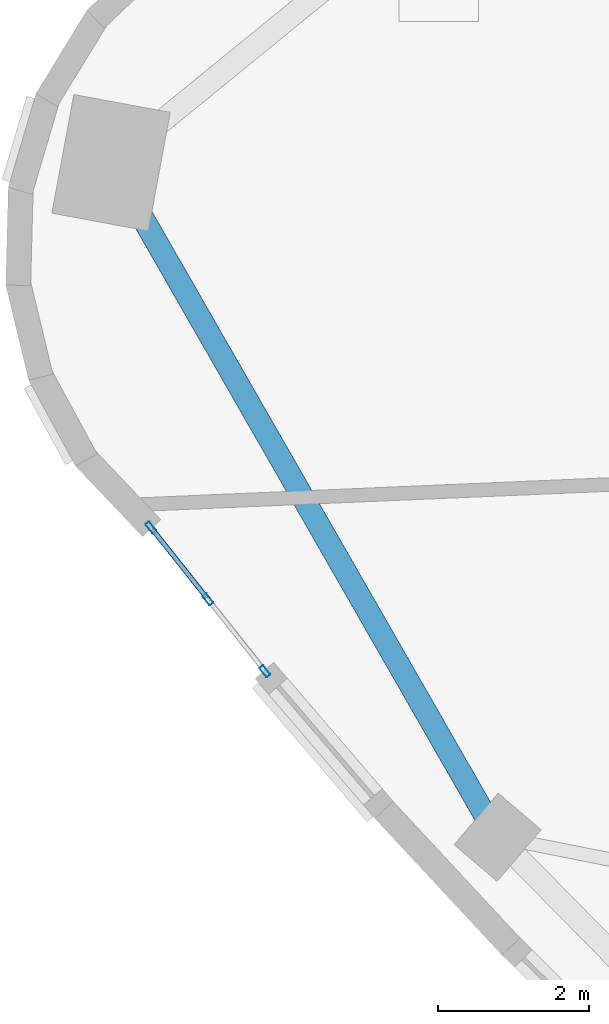
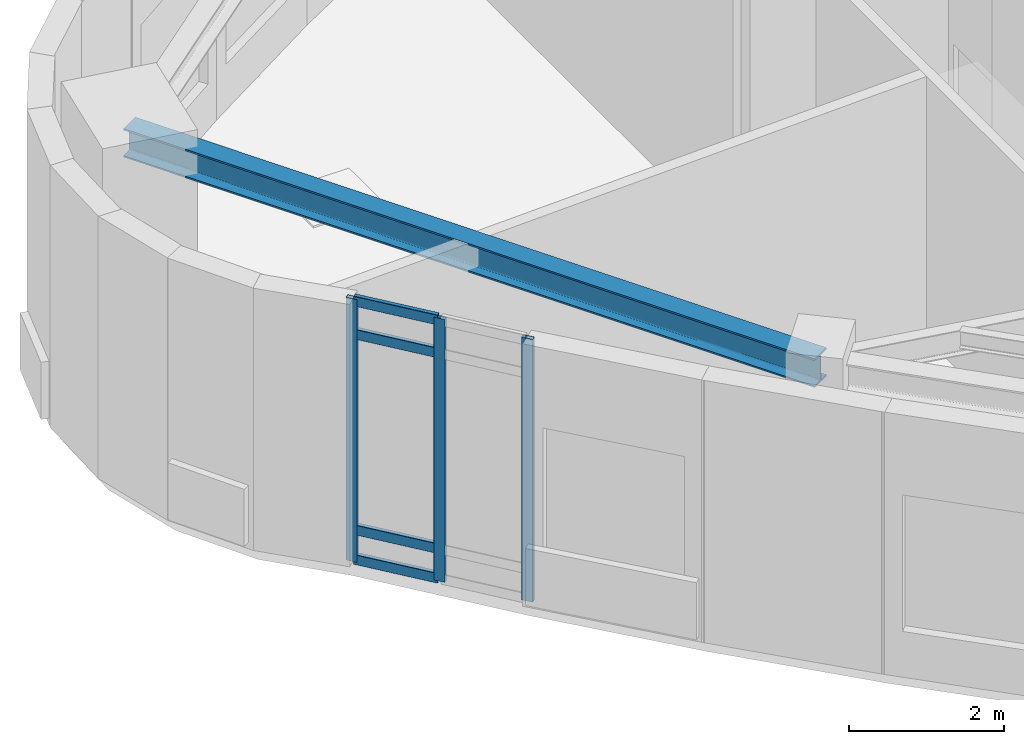
# One storey, part 4 of 14: 7 members, 1 beam, 1 element without a shape of its own.
"""IFC4 building model written with IfcOpenShell, lengths in metres."""

from ifc_helpers import new_model, si_unit, direction, frame, origin, origin_2d, place, context, subcontext, project, spatial, hollow_rectangle, i_section, extrude, material, layer, layer_set, material_profile, profile_set, type_object, element, aggregate, save


model = new_model("IFC4")

# Units and contexts
model_context = context("Model", 3, precision=1e-05, world=origin(), true_north=direction((0.0, 1.0)))
body_context = subcontext(model_context, "Body", "Model", "MODEL_VIEW")
ifc_project = project(units=[si_unit("LENGTHUNIT", "METRE"), si_unit("AREAUNIT", "SQUARE_METRE"), si_unit("VOLUMEUNIT", "CUBIC_METRE"), si_unit("PLANEANGLEUNIT", "RADIAN"), si_unit("MASSUNIT", "GRAM", prefix="KILO")], contexts=[model_context])

# Site, building, storey
site_placement = place(None, origin())
site = spatial("IfcSite", under=ifc_project, at=site_placement, CompositionType="ELEMENT")
building_placement = place(site_placement, origin())
building = spatial("IfcBuilding", under=site, at=building_placement, Name="Ndelora Gate Hotel", CompositionType="ELEMENT")
storey_placement = place(building_placement, frame((0.0, 0.0, 281.60009765625)))
storey = spatial("IfcBuildingStorey", under=building, at=storey_placement, Name="L70", CompositionType="ELEMENT", Elevation=281.60009765625)

# Beam
ifc_material_1 = material(Name="Steel S355", Category="steel")
ifc_material_profile_1 = material_profile(ifc_material_1, i_section(OverallWidth=0.300048828125, OverallDepth=0.449951171875, WebThickness=0.013916015625, FlangeThickness=0.02587890625, FilletRadius=0.027099609375, at=origin_2d()), Name="HEB 450")
ifc_profile_set_1 = profile_set([ifc_material_profile_1], Name="Steel S355")
beam_type = type_object("IfcBeamType", Name="BM-RING-450", PredefinedType="SPANDREL", material=ifc_profile_set_1)
beam_placement = place(storey_placement, frame((-19.949951171875, 3.697509765625, 3.90478515625), z_axis=(0.497255333538, -0.867604249222, 0.0), x_axis=(0.867604249222, 0.497255333538, 0.0)))
element("IfcBeam", 1, at=beam_placement, inside=storey, type_object=beam_type, Name="L70 Perimeter Spandrel Girder 1", PredefinedType="SPANDREL", context=body_context, shape_type="SweptSolid", body=[
    extrude(i_section(OverallWidth=0.300048828125, OverallDepth=0.449951171875, WebThickness=0.013916015625, FlangeThickness=0.02587890625, FilletRadius=0.027099609375, at=origin_2d()), origin(), (0.0, 0.0, 1.0), 10.3115234375),
])

# Curtain wall, members
ifc_material_2 = material(Name="Bronze Anodised Unitised Aluminium and Low-E Glass", Category="aluminium")
ifc_layer = layer(ifc_material_2, 0.219970703125)
ifc_layer_set = layer_set([ifc_layer], Name="Bronze Anodised Unitised Aluminium and Low-E Glass")
curtain_wall_type = type_object("IfcCurtainWallType", Name="CW-SYS-6", PredefinedType="NOTDEFINED", material=ifc_layer_set)
curtain_wall_placement = place(storey_placement, origin())
curtain_wall = element("IfcCurtainWall", 2, at=curtain_wall_placement, inside=storey, type_object=curtain_wall_type, Name="L70 Crown Sky-Restaurant & Cocktail Bar Curtain Wall 1", PredefinedType="NOTDEFINED")
ifc_material_3 = material(Name="Bronze Anodised Aluminium 6063-T6", Category="aluminium")
ifc_material_profile_2 = material_profile(ifc_material_3, hollow_rectangle(XDim=0.06494140625, YDim=0.159912109375, WallThickness=0.00390625, InnerFilletRadius=0.00390625, OuterFilletRadius=0.008056640625, at=origin_2d()), Name="ALU 160x65x4")
ifc_profile_set_2 = profile_set([ifc_material_profile_2], Name="Bronze Anodised Aluminium 6063-T6")
member_type_1 = type_object("IfcMemberType", Name="MB-CW-MUL150", PredefinedType="MULLION", material=ifc_profile_set_2)
member_1_placement = place(storey_placement, frame((-19.420166015625, -1.141357421875, -0.004150390625), z_axis=(0.0, 0.0, 1.0), x_axis=(0.783410250406, 0.621504931243, 0.0)))
member_1 = element("IfcMember", 3, at=member_1_placement, type_object=member_type_1, Name="CW6 mullion 1", PredefinedType="MULLION", context=body_context, shape_type="SweptSolid", body=[
    extrude(hollow_rectangle(XDim=0.06494140625, YDim=0.159912109375, WallThickness=0.00390625, InnerFilletRadius=0.00390625, OuterFilletRadius=0.008056640625, at=origin_2d()), origin(), (0.0, 0.0, 1.0), 4.137939453125),
])
member_2_placement = place(storey_placement, frame((-18.66455078125, -2.093994140625, -0.004150390625), z_axis=(0.0, 0.0, 1.0), x_axis=(0.783410250406, 0.621504931243, 0.0)))
member_2 = element("IfcMember", 4, at=member_2_placement, type_object=member_type_1, Name="CW6 mullion 2", PredefinedType="MULLION", context=body_context, shape_type="SweptSolid", body=[
    extrude(hollow_rectangle(XDim=0.06494140625, YDim=0.159912109375, WallThickness=0.00390625, InnerFilletRadius=0.00390625, OuterFilletRadius=0.008056640625, at=origin_2d()), origin(), (0.0, 0.0, 1.0), 4.137939453125),
])
member_3_placement = place(storey_placement, frame((-17.908935546875, -3.04638671875, -0.004150390625), z_axis=(0.0, 0.0, 1.0), x_axis=(0.783410250406, 0.621504931243, 0.0)))
member_3 = element("IfcMember", 5, at=member_3_placement, type_object=member_type_1, Name="CW6 mullion 3", PredefinedType="MULLION", context=body_context, shape_type="SweptSolid", body=[
    extrude(hollow_rectangle(XDim=0.06494140625, YDim=0.159912109375, WallThickness=0.00390625, InnerFilletRadius=0.00390625, OuterFilletRadius=0.008056640625, at=origin_2d()), origin(), (0.0, 0.0, 1.0), 4.137939453125),
])
ifc_material_profile_3 = material_profile(ifc_material_3, hollow_rectangle(XDim=0.06494140625, YDim=0.159912109375, WallThickness=0.00390625, InnerFilletRadius=0.00390625, OuterFilletRadius=0.008056640625, at=origin_2d()), Name="ALU 160x65x4")
ifc_profile_set_3 = profile_set([ifc_material_profile_3], Name="Bronze Anodised Aluminium 6063-T6")
member_type_2 = type_object("IfcMemberType", Name="MB-CW-TRN150", PredefinedType="USERDEFINED", material=ifc_profile_set_3)
member_4_placement = place(storey_placement, frame((-19.403564453125, -1.162109375, 0.032470703125), z_axis=(0.6214124865, -0.783483580952, 0.0), x_axis=(0.783483580952, 0.6214124865, 0.0)))
member_4 = element("IfcMember", 6, at=member_4_placement, type_object=member_type_2, Name="CW6 transom 1.1", ObjectType="TRANSOM", PredefinedType="USERDEFINED", context=body_context, shape_type="SweptSolid", body=[
    extrude(hollow_rectangle(XDim=0.06494140625, YDim=0.159912109375, WallThickness=0.00390625, InnerFilletRadius=0.00390625, OuterFilletRadius=0.008056640625, at=origin_2d()), origin(), (0.0, 0.0, 1.0), 1.162841796875),
])
member_5_placement = place(storey_placement, frame((-19.403564453125, -1.162109375, 0.5), z_axis=(0.6214124865, -0.783483580952, 0.0), x_axis=(0.783483580952, 0.6214124865, 0.0)))
member_5 = element("IfcMember", 7, at=member_5_placement, type_object=member_type_2, Name="CW6 transom 1.2", ObjectType="TRANSOM", PredefinedType="USERDEFINED", context=body_context, shape_type="SweptSolid", body=[
    extrude(hollow_rectangle(XDim=0.06494140625, YDim=0.159912109375, WallThickness=0.00390625, InnerFilletRadius=0.00390625, OuterFilletRadius=0.008056640625, at=origin_2d()), origin(), (0.0, 0.0, 1.0), 1.162841796875),
])
member_6_placement = place(storey_placement, frame((-19.403564453125, -1.162109375, 3.579833984375), z_axis=(0.6214124865, -0.783483580952, 0.0), x_axis=(0.783483580952, 0.6214124865, 0.0)))
member_6 = element("IfcMember", 8, at=member_6_placement, type_object=member_type_2, Name="CW6 transom 1.3", ObjectType="TRANSOM", PredefinedType="USERDEFINED", context=body_context, shape_type="SweptSolid", body=[
    extrude(hollow_rectangle(XDim=0.06494140625, YDim=0.159912109375, WallThickness=0.00390625, InnerFilletRadius=0.00390625, OuterFilletRadius=0.008056640625, at=origin_2d()), origin(), (0.0, 0.0, 1.0), 1.162841796875),
])
member_7_placement = place(storey_placement, frame((-19.403564453125, -1.162109375, 4.097412109375), z_axis=(0.6214124865, -0.783483580952, 0.0), x_axis=(0.783483580952, 0.6214124865, 0.0)))
member_7 = element("IfcMember", 9, at=member_7_placement, type_object=member_type_2, Name="CW6 transom 1.4", ObjectType="TRANSOM", PredefinedType="USERDEFINED", context=body_context, shape_type="SweptSolid", body=[
    extrude(hollow_rectangle(XDim=0.06494140625, YDim=0.159912109375, WallThickness=0.00390625, InnerFilletRadius=0.00390625, OuterFilletRadius=0.008056640625, at=origin_2d()), origin(), (0.0, 0.0, 1.0), 1.162841796875),
])
aggregate(curtain_wall, [member_1, member_2, member_3, member_4, member_5, member_6, member_7])

save(model, "model.ifc")
